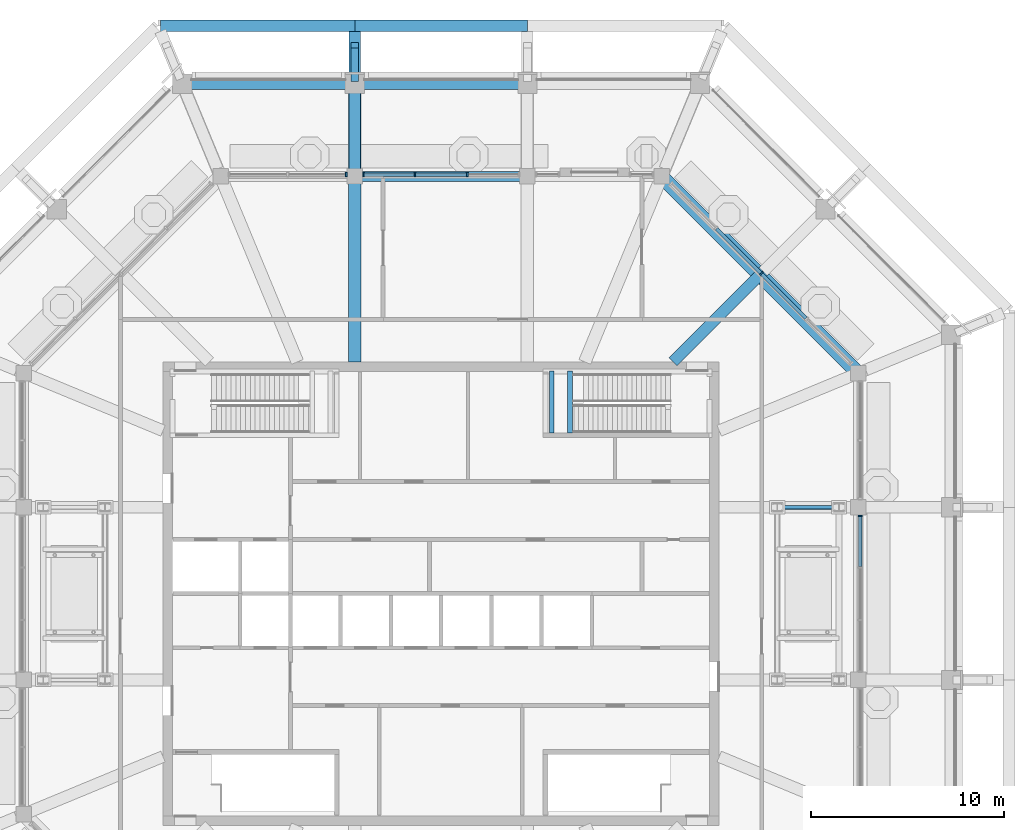
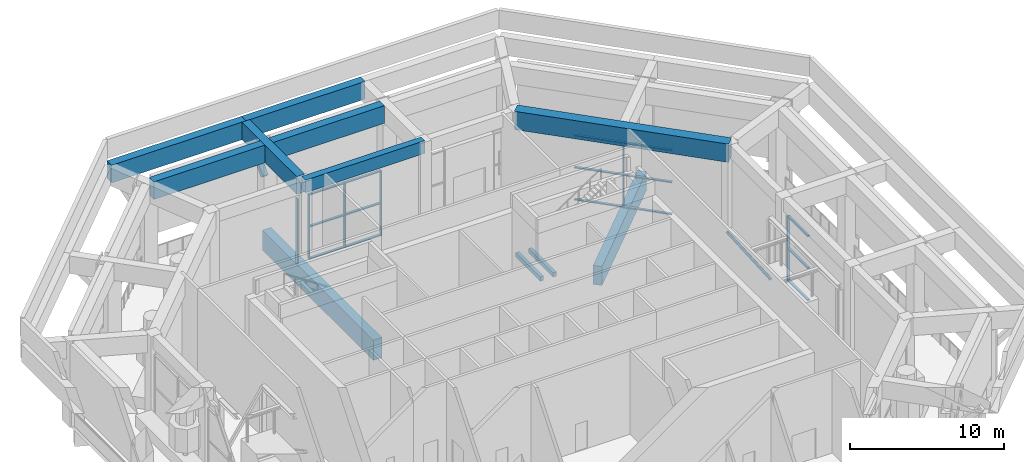
# One storey, part 10 of 29: 23 members, 11 beams, 4 elements without a shape of their own.
"""IFC4 building model written with IfcOpenShell, lengths in metres."""

from ifc_helpers import new_model, si_unit, direction, frame, origin, origin_2d, place, context, subcontext, project, spatial, rectangle, hollow_rectangle, extrude, material, material_profile, profile_set, type_object, element, aggregate, save


model = new_model("IFC4")

# Units and contexts
model_context = context("Model", 3, precision=1e-05, world=origin(), true_north=direction((0.0, 1.0)))
body_context = subcontext(model_context, "Body", "Model", "MODEL_VIEW")
ifc_project = project(units=[si_unit("LENGTHUNIT", "METRE"), si_unit("AREAUNIT", "SQUARE_METRE"), si_unit("VOLUMEUNIT", "CUBIC_METRE"), si_unit("PLANEANGLEUNIT", "RADIAN"), si_unit("MASSUNIT", "GRAM", prefix="KILO")], contexts=[model_context])

# Site, building, storey
site_placement = place(None, origin())
site = spatial("IfcSite", under=ifc_project, at=site_placement, CompositionType="ELEMENT")
building_placement = place(site_placement, origin())
building = spatial("IfcBuilding", under=site, at=building_placement, Name="Msitu Wima Residences", CompositionType="ELEMENT")
storey_placement = place(building_placement, frame((0.0, 0.0, 320.10009765625)))
storey = spatial("IfcBuildingStorey", under=building, at=storey_placement, Name="L74", CompositionType="ELEMENT", Elevation=320.10009765625)

# Beam
ifc_material_1 = material(Name="Concrete C60/75", Category="concrete")
ifc_material_profile_1 = material_profile(ifc_material_1, rectangle(XDim=0.60009765625, YDim=1.39990234375, at=origin_2d()), Name="RC 600x1400")
ifc_profile_set_1 = profile_set([ifc_material_profile_1], Name="Concrete C60/75")
beam_type_1 = type_object("IfcBeamType", Name="Canopy cantilever beam CT600x1400", PredefinedType="BEAM", material=ifc_profile_set_1)
beam_1_placement = place(storey_placement, frame((-4.46875, 21.988037109375, 5.89990234375), z_axis=(0.0, 1.0, 0.0), x_axis=(-1.0, 0.0, 0.0)))
element("IfcBeam", 1, at=beam_1_placement, inside=storey, type_object=beam_type_1, Name="Canopy cantilever beam C-N2", PredefinedType="BEAM", context=body_context, shape_type="SweptSolid", body=[
    extrude(rectangle(XDim=0.60009765625, YDim=1.39990234375, at=origin_2d()), origin(), (0.0, 0.0, 1.0), 7.1240234375),
])

# Member
ifc_material_profile_2 = material_profile(ifc_material_1, rectangle(XDim=0.39990234375, YDim=0.39990234375, at=origin_2d()), Name="RC 400x400")
ifc_profile_set_2 = profile_set([ifc_material_profile_2], Name="Concrete C60/75")
member_type_1 = type_object("IfcMemberType", Name="Canopy knee strut KS400", PredefinedType="STRUT", material=ifc_profile_set_2)
member_1_placement = place(storey_placement, frame((-4.46875, 26.64990234375, 3.699951171875), z_axis=(0.0, 0.707106781187, 0.707106781187), x_axis=(-1.0, 0.0, 0.0)))
element("IfcMember", 2, at=member_1_placement, inside=storey, type_object=member_type_1, Name="Canopy knee strut C-N2", PredefinedType="STRUT", context=body_context, shape_type="SweptSolid", body=[
    extrude(rectangle(XDim=0.39990234375, YDim=0.39990234375, at=origin_2d()), origin(), (0.0, 0.0, 1.0), 2.474853515625),
])

# Beams
ifc_material_profile_3 = material_profile(ifc_material_1, rectangle(XDim=0.5, YDim=1.0, at=origin_2d()), Name="RC 500x1000")
ifc_profile_set_3 = profile_set([ifc_material_profile_3], Name="Concrete C60/75")
beam_type_2 = type_object("IfcBeamType", Name="Chamber ring beam CB500x1000", PredefinedType="BEAM", material=ifc_profile_set_3)
beam_2_placement = place(storey_placement, frame((4.46875, 21.60009765625, 6.099853515625), z_axis=(-1.0, 0.0, 0.0), x_axis=(0.0, -1.0, 0.0)))
element("IfcBeam", 3, at=beam_2_placement, inside=storey, type_object=beam_type_2, Name="Chamber ring beam CH5", PredefinedType="BEAM", context=body_context, shape_type="SweptSolid", body=[
    extrude(rectangle(XDim=0.5, YDim=1.0, at=origin_2d()), origin(), (0.0, 0.0, 1.0), 8.9375),
])
ifc_material_profile_4 = material_profile(ifc_material_1, rectangle(XDim=0.75, YDim=1.449951171875, at=origin_2d()), Name="RC 750x1450")
ifc_profile_set_4 = profile_set([ifc_material_profile_4], Name="Concrete C60/75")
beam_type_3 = type_object("IfcBeamType", Name="Chamber ring beam CB750x1450", PredefinedType="BEAM", material=ifc_profile_set_4)
beam_3_placement = place(storey_placement, frame((21.60009765625, 11.417724609375, 5.875), z_axis=(-0.707106781187, 0.707106781187, 0.0), x_axis=(-0.707106781187, -0.707106781187, 0.0)))
element("IfcBeam", 4, at=beam_3_placement, inside=storey, type_object=beam_type_3, Name="Chamber ring beam CH3", PredefinedType="BEAM", context=body_context, shape_type="SweptSolid", body=[
    extrude(rectangle(XDim=0.75, YDim=1.449951171875, at=origin_2d()), origin(), (0.0, 0.0, 1.0), 14.400146484375),
])

# Member
ifc_material_2 = material(Name="Steel S355", Category="steel")
ifc_material_profile_5 = material_profile(ifc_material_2, hollow_rectangle(XDim=0.199951171875, YDim=0.199951171875, WallThickness=0.012451171875, InnerFilletRadius=0.012451171875, OuterFilletRadius=0.02490234375, at=origin_2d()), Name="SHS 200x200x12.5")
ifc_profile_set_5 = profile_set([ifc_material_profile_5], Name="Steel S355")
member_type_2 = type_object("IfcMemberType", Name="Damper frame SHS 200x200x12.5", PredefinedType="BRACE", material=ifc_profile_set_5)
member_2_placement = place(storey_placement, frame((20.60009765625, 4.46875, 0.2548828125), z_axis=(-0.555130142442, 0.0, 0.831763503018), x_axis=(0.0, -1.0, 0.0)))
element("IfcMember", 5, at=member_2_placement, inside=storey, type_object=member_type_2, Name="Damper frame brace E3", PredefinedType="BRACE", context=body_context, shape_type="SweptSolid", body=[
    extrude(hollow_rectangle(XDim=0.199951171875, YDim=0.199951171875, WallThickness=0.012451171875, InnerFilletRadius=0.012451171875, OuterFilletRadius=0.02490234375, at=origin_2d()), origin(), (0.0, 0.0, 1.0), 5.7646484375),
])

# Beams
ifc_material_profile_6 = material_profile(ifc_material_1, rectangle(XDim=0.60009765625, YDim=1.5, at=origin_2d()), Name="RC 600x1500")
ifc_profile_set_6 = profile_set([ifc_material_profile_6], Name="Concrete C60/75")
beam_type_4 = type_object("IfcBeamType", Name="Deck girder DG600x1500", PredefinedType="BEAM", material=ifc_profile_set_6)
beam_4_placement = place(storey_placement, frame((19.90283203125, 19.90283203125, -1.050048828125), z_axis=(-0.707106781187, -0.707106781187, 0.0), x_axis=(0.707106781187, -0.707106781187, 0.0)))
element("IfcBeam", 6, at=beam_4_placement, inside=storey, type_object=beam_type_4, Name="Deck girder C-NE1", PredefinedType="BEAM", context=body_context, shape_type="SweptSolid", body=[
    extrude(rectangle(XDim=0.60009765625, YDim=1.5, at=origin_2d()), origin(), (0.0, 0.0, 1.0), 11.17626953125),
])
ifc_material_profile_7 = material_profile(ifc_material_1, rectangle(XDim=0.64990234375, YDim=1.60009765625, at=origin_2d()), Name="RC 650x1600")
ifc_profile_set_7 = profile_set([ifc_material_profile_7], Name="Concrete C60/75")
beam_type_5 = type_object("IfcBeamType", Name="Deck girder DG650x1600", PredefinedType="BEAM", material=ifc_profile_set_7)
beam_5_placement = place(storey_placement, frame((-4.46875, 26.39990234375, -1.10009765625), z_axis=(0.0, -1.0, 0.0), x_axis=(1.0, 0.0, 0.0)))
element("IfcBeam", 7, at=beam_5_placement, inside=storey, type_object=beam_type_5, Name="Deck girder C-N2", PredefinedType="BEAM", context=body_context, shape_type="SweptSolid", body=[
    extrude(rectangle(XDim=0.64990234375, YDim=1.60009765625, at=origin_2d()), origin(), (0.0, 0.0, 1.0), 14.39990234375),
])
ifc_material_profile_8 = material_profile(ifc_material_1, rectangle(XDim=0.60009765625, YDim=1.39990234375, at=origin_2d()), Name="RC 600x1400")
ifc_profile_set_8 = profile_set([ifc_material_profile_8], Name="Concrete C60/75")
beam_type_6 = type_object("IfcBeamType", Name="Fascia beam FB600x1400", PredefinedType="BEAM", material=ifc_profile_set_8)
beam_6_placement = place(storey_placement, frame((4.1806640625, 26.39990234375, 5.89990234375), z_axis=(-1.0, 0.0, 0.0), x_axis=(0.0, -1.0, 0.0)))
element("IfcBeam", 8, at=beam_6_placement, inside=storey, type_object=beam_type_6, Name="Canopy fascia beam C-N1", PredefinedType="BEAM", context=body_context, shape_type="SweptSolid", body=[
    extrude(rectangle(XDim=0.60009765625, YDim=1.39990234375, at=origin_2d()), origin(), (0.0, 0.0, 1.0), 8.361328125),
])
beam_7_placement = place(storey_placement, frame((-4.756591796875, 26.39990234375, 5.89990234375), z_axis=(-1.0, 0.0, 0.0), x_axis=(0.0, -1.0, 0.0)))
element("IfcBeam", 9, at=beam_7_placement, inside=storey, type_object=beam_type_6, Name="Canopy fascia beam C-N2", PredefinedType="BEAM", context=body_context, shape_type="SweptSolid", body=[
    extrude(rectangle(XDim=0.60009765625, YDim=1.39990234375, at=origin_2d()), origin(), (0.0, 0.0, 1.0), 8.336669921875),
])
beam_8_placement = place(storey_placement, frame((4.46875, 29.39990234375, 5.89990234375), z_axis=(-1.0, 0.0, 0.0), x_axis=(0.0, -1.0, 0.0)))
element("IfcBeam", 10, at=beam_8_placement, inside=storey, type_object=beam_type_6, Name="Canopy edge fascia beam C-N1", PredefinedType="BEAM", context=body_context, shape_type="SweptSolid", body=[
    extrude(rectangle(XDim=0.60009765625, YDim=1.39990234375, at=origin_2d()), origin(), (0.0, 0.0, 1.0), 8.9375),
])
beam_9_placement = place(storey_placement, frame((-4.46875, 29.39990234375, 5.89990234375), z_axis=(-1.0, 0.0, 0.0), x_axis=(0.0, -1.0, 0.0)))
element("IfcBeam", 11, at=beam_9_placement, inside=storey, type_object=beam_type_6, Name="Canopy edge fascia beam C-N2", PredefinedType="BEAM", context=body_context, shape_type="SweptSolid", body=[
    extrude(rectangle(XDim=0.60009765625, YDim=1.39990234375, at=origin_2d()), origin(), (0.0, 0.0, 1.0), 10.055419921875),
])
ifc_material_3 = material(Name="Concrete C40/50", Category="concrete")
ifc_material_profile_9 = material_profile(ifc_material_3, rectangle(XDim=0.25, YDim=0.35009765625, at=origin_2d()), Name="RC 250x350")
ifc_profile_set_9 = profile_set([ifc_material_profile_9], Name="Concrete C40/50")
beam_type_7 = type_object("IfcBeamType", Name="Landing beam RC 250x350", PredefinedType="BEAM", material=ifc_profile_set_9)
for number, where, z_axis, x_axis, name in (
    (12, (6.675048828125, 8.324951171875, 3.125), (0.0, 1.0, 0.0), (-1.0, 0.0, 0.0), "Stair 3 landing beam"),
    (13, (5.72509765625, 8.324951171875, 3.125), (0.0, 1.0, 0.0), (-1.0, 0.0, 0.0), "Stair 3 landing beam"),
):
    element("IfcBeam", number, at=place(storey_placement, frame(where, z_axis=z_axis, x_axis=x_axis)), inside=storey, type_object=beam_type_7, Name=name, PredefinedType="BEAM", context=body_context, shape_type="SweptSolid", body=[
        extrude(rectangle(XDim=0.25, YDim=0.35009765625, at=origin_2d()), origin(), (0.0, 0.0, 1.0), 3.199951171875),
    ])

# Curtain wall, member
ifc_material_4 = material(Name="Anodised aluminium, bronze finish, clear laminated double glazing", Category="aluminium")
curtain_wall_type = type_object("IfcCurtainWallType", Name="Curtain wall CW4 damper chamber wall", PredefinedType="NOTDEFINED", material=ifc_material_4)
curtain_wall_1_placement = place(storey_placement, origin())
curtain_wall_1 = element("IfcCurtainWall", 14, at=curtain_wall_1_placement, inside=storey, type_object=curtain_wall_type, Name="Curtain wall CW4 L74 CH-0b0", PredefinedType="NOTDEFINED")
ifc_material_5 = material(Name="Anodised aluminium, bronze finish", Category="aluminium")
ifc_material_profile_10 = material_profile(ifc_material_5, rectangle(XDim=0.219970703125, YDim=0.0849609375, at=origin_2d()), Name="Mullion 85x220")
ifc_profile_set_10 = profile_set([ifc_material_profile_10], Name="Anodised aluminium, bronze finish")
member_type_3 = type_object("IfcMemberType", Name="Mullion CW4 85x220", PredefinedType="MULLION", material=ifc_profile_set_10)
member_3_placement = place(storey_placement, frame((21.699951171875, 4.026123046875, 0.0), z_axis=(0.0, 0.0, 1.0), x_axis=(-1.0, 0.0, 0.0)))
member_3 = element("IfcMember", 15, at=member_3_placement, type_object=member_type_3, Name="CW4 mullion 4", PredefinedType="MULLION", context=body_context, shape_type="SweptSolid", body=[
    extrude(rectangle(XDim=0.219970703125, YDim=0.0849609375, at=origin_2d()), origin(), (0.0, 0.0, 1.0), 5.14990234375),
])

curtain_wall_2_placement = place(storey_placement, origin())
curtain_wall_2 = element("IfcCurtainWall", 16, at=curtain_wall_2_placement, inside=storey, type_object=curtain_wall_type, Name="Curtain wall CW4 L74 CH-1a0", PredefinedType="NOTDEFINED")
member_4_placement = place(storey_placement, frame((16.57958984375, 16.57958984375, 0.0), z_axis=(0.0, 0.0, 1.0), x_axis=(-0.707106781187, -0.707106781187, 0.0)))
member_4 = element("IfcMember", 17, at=member_4_placement, type_object=member_type_3, Name="CW4 mullion 3", PredefinedType="MULLION", context=body_context, shape_type="SweptSolid", body=[
    extrude(rectangle(XDim=0.219970703125, YDim=0.0849609375, at=origin_2d()), origin(), (0.0, 0.0, 1.0), 5.14990234375),
])

# Curtain wall, members
curtain_wall_3_placement = place(storey_placement, origin())
curtain_wall_3 = element("IfcCurtainWall", 18, at=curtain_wall_3_placement, inside=storey, type_object=curtain_wall_type, Name="Curtain wall CW4 L74 CH-2b0", PredefinedType="NOTDEFINED")
member_5_placement = place(storey_placement, frame((1.356201171875, 21.699951171875, 0.0), z_axis=(0.0, 0.0, 1.0), x_axis=(0.0, -1.0, 0.0)))
member_5 = element("IfcMember", 19, at=member_5_placement, type_object=member_type_3, Name="CW4 mullion 2", PredefinedType="MULLION", context=body_context, shape_type="SweptSolid", body=[
    extrude(rectangle(XDim=0.219970703125, YDim=0.0849609375, at=origin_2d()), origin(), (0.0, 0.0, 1.0), 5.14990234375),
])
member_6_placement = place(storey_placement, frame((-1.356201171875, 21.699951171875, 0.0), z_axis=(0.0, 0.0, 1.0), x_axis=(0.0, -1.0, 0.0)))
member_6 = element("IfcMember", 20, at=member_6_placement, type_object=member_type_3, Name="CW4 mullion 3", PredefinedType="MULLION", context=body_context, shape_type="SweptSolid", body=[
    extrude(rectangle(XDim=0.219970703125, YDim=0.0849609375, at=origin_2d()), origin(), (0.0, 0.0, 1.0), 5.14990234375),
])
member_7_placement = place(storey_placement, frame((-4.026123046875, 21.699951171875, 0.0), z_axis=(0.0, 0.0, 1.0), x_axis=(0.0, -1.0, 0.0)))
member_7 = element("IfcMember", 21, at=member_7_placement, type_object=member_type_3, Name="CW4 mullion 4", PredefinedType="MULLION", context=body_context, shape_type="SweptSolid", body=[
    extrude(rectangle(XDim=0.219970703125, YDim=0.0849609375, at=origin_2d()), origin(), (0.0, 0.0, 1.0), 5.14990234375),
])

# Curtain wall, member
curtain_wall_4_placement = place(storey_placement, origin())
curtain_wall_4 = element("IfcCurtainWall", 22, at=curtain_wall_4_placement, inside=storey, type_object=curtain_wall_type, Name="Curtain wall CW4 L74 CH-2c0", PredefinedType="NOTDEFINED")
member_8_placement = place(storey_placement, frame((-4.9111328125, 21.699951171875, 0.0), z_axis=(0.0, 0.0, 1.0), x_axis=(0.0, -1.0, 0.0)))
member_8 = element("IfcMember", 23, at=member_8_placement, type_object=member_type_3, Name="CW4 mullion 1", PredefinedType="MULLION", context=body_context, shape_type="SweptSolid", body=[
    extrude(rectangle(XDim=0.219970703125, YDim=0.0849609375, at=origin_2d()), origin(), (0.0, 0.0, 1.0), 5.14990234375),
])
aggregate(curtain_wall_4, [member_8])

# Member
ifc_material_profile_11 = material_profile(ifc_material_5, rectangle(XDim=0.179931640625, YDim=0.0849609375, at=origin_2d()), Name="Transom 85x180")
ifc_profile_set_11 = profile_set([ifc_material_profile_11], Name="Anodised aluminium, bronze finish")
member_type_4 = type_object("IfcMemberType", Name="Transom CW4 85x180", PredefinedType="USERDEFINED", material=ifc_profile_set_11)
member_9_placement = place(storey_placement, frame((21.699951171875, 1.398681640625, 0.04248046875), z_axis=(0.0, 1.0, 0.0), x_axis=(-1.0, 0.0, 0.0)))
member_9 = element("IfcMember", 24, at=member_9_placement, type_object=member_type_4, Name="CW4 transom 3.1", ObjectType="TRANSOM", PredefinedType="USERDEFINED", context=body_context, shape_type="SweptSolid", body=[
    extrude(rectangle(XDim=0.179931640625, YDim=0.0849609375, at=origin_2d()), origin(), (0.0, 0.0, 1.0), 2.5849609375),
])

member_10_placement = place(storey_placement, frame((21.699951171875, 1.398681640625, 2.574951171875), z_axis=(0.0, 1.0, 0.0), x_axis=(-1.0, 0.0, 0.0)))
member_10 = element("IfcMember", 25, at=member_10_placement, type_object=member_type_4, Name="CW4 transom 3.2", ObjectType="TRANSOM", PredefinedType="USERDEFINED", context=body_context, shape_type="SweptSolid", body=[
    extrude(rectangle(XDim=0.179931640625, YDim=0.0849609375, at=origin_2d()), origin(), (0.0, 0.0, 1.0), 2.5849609375),
])

member_11_placement = place(storey_placement, frame((21.699951171875, 1.398681640625, 5.107421875), z_axis=(0.0, 1.0, 0.0), x_axis=(-1.0, 0.0, 0.0)))
member_11 = element("IfcMember", 26, at=member_11_placement, type_object=member_type_4, Name="CW4 transom 3.3", ObjectType="TRANSOM", PredefinedType="USERDEFINED", context=body_context, shape_type="SweptSolid", body=[
    extrude(rectangle(XDim=0.179931640625, YDim=0.0849609375, at=origin_2d()), origin(), (0.0, 0.0, 1.0), 2.5849609375),
])

aggregate(curtain_wall_1, [member_3, member_9, member_10, member_11])

member_12_placement = place(storey_placement, frame((18.89501953125, 14.263916015625, 0.04248046875), z_axis=(-0.707069013432, 0.707144546924, 0.0), x_axis=(-0.707144546924, -0.707069013432, 0.0)))
member_12 = element("IfcMember", 27, at=member_12_placement, type_object=member_type_4, Name="CW4 transom 2.1", ObjectType="TRANSOM", PredefinedType="USERDEFINED", context=body_context, shape_type="SweptSolid", body=[
    extrude(rectangle(XDim=0.179931640625, YDim=0.0849609375, at=origin_2d()), origin(), (0.0, 0.0, 1.0), 3.232177734375),
])

member_13_placement = place(storey_placement, frame((18.89501953125, 14.263916015625, 2.574951171875), z_axis=(-0.707069013432, 0.707144546924, 0.0), x_axis=(-0.707144546924, -0.707069013432, 0.0)))
member_13 = element("IfcMember", 28, at=member_13_placement, type_object=member_type_4, Name="CW4 transom 2.2", ObjectType="TRANSOM", PredefinedType="USERDEFINED", context=body_context, shape_type="SweptSolid", body=[
    extrude(rectangle(XDim=0.179931640625, YDim=0.0849609375, at=origin_2d()), origin(), (0.0, 0.0, 1.0), 3.232177734375),
])

member_14_placement = place(storey_placement, frame((18.89501953125, 14.263916015625, 5.107421875), z_axis=(-0.707069013432, 0.707144546924, 0.0), x_axis=(-0.707144546924, -0.707069013432, 0.0)))
member_14 = element("IfcMember", 29, at=member_14_placement, type_object=member_type_4, Name="CW4 transom 2.3", ObjectType="TRANSOM", PredefinedType="USERDEFINED", context=body_context, shape_type="SweptSolid", body=[
    extrude(rectangle(XDim=0.179931640625, YDim=0.0849609375, at=origin_2d()), origin(), (0.0, 0.0, 1.0), 3.232177734375),
])

member_15_placement = place(storey_placement, frame((16.549560546875, 16.609619140625, 0.04248046875), z_axis=(-0.707144546924, 0.707069013432, 0.0), x_axis=(-0.707069013432, -0.707144546924, 0.0)))
member_15 = element("IfcMember", 30, at=member_15_placement, type_object=member_type_4, Name="CW4 transom 3.1", ObjectType="TRANSOM", PredefinedType="USERDEFINED", context=body_context, shape_type="SweptSolid", body=[
    extrude(rectangle(XDim=0.179931640625, YDim=0.0849609375, at=origin_2d()), origin(), (0.0, 0.0, 1.0), 3.232177734375),
])

member_16_placement = place(storey_placement, frame((16.549560546875, 16.609619140625, 2.574951171875), z_axis=(-0.707144546924, 0.707069013432, 0.0), x_axis=(-0.707069013432, -0.707144546924, 0.0)))
member_16 = element("IfcMember", 31, at=member_16_placement, type_object=member_type_4, Name="CW4 transom 3.2", ObjectType="TRANSOM", PredefinedType="USERDEFINED", context=body_context, shape_type="SweptSolid", body=[
    extrude(rectangle(XDim=0.179931640625, YDim=0.0849609375, at=origin_2d()), origin(), (0.0, 0.0, 1.0), 3.232177734375),
])

member_17_placement = place(storey_placement, frame((16.549560546875, 16.609619140625, 5.107421875), z_axis=(-0.707144546924, 0.707069013432, 0.0), x_axis=(-0.707069013432, -0.707144546924, 0.0)))
member_17 = element("IfcMember", 32, at=member_17_placement, type_object=member_type_4, Name="CW4 transom 3.3", ObjectType="TRANSOM", PredefinedType="USERDEFINED", context=body_context, shape_type="SweptSolid", body=[
    extrude(rectangle(XDim=0.179931640625, YDim=0.0849609375, at=origin_2d()), origin(), (0.0, 0.0, 1.0), 3.232177734375),
])

aggregate(curtain_wall_2, [member_4, member_12, member_13, member_14, member_15, member_16, member_17])

member_18_placement = place(storey_placement, frame((1.313720703125, 21.699951171875, 0.04248046875), z_axis=(-1.0, 0.0, 0.0), x_axis=(0.0, -1.0, 0.0)))
member_18 = element("IfcMember", 33, at=member_18_placement, type_object=member_type_4, Name="CW4 transom 2.1", ObjectType="TRANSOM", PredefinedType="USERDEFINED", context=body_context, shape_type="SweptSolid", body=[
    extrude(rectangle(XDim=0.179931640625, YDim=0.0849609375, at=origin_2d()), origin(), (0.0, 0.0, 1.0), 2.62744140625),
])

member_19_placement = place(storey_placement, frame((1.313720703125, 21.699951171875, 2.574951171875), z_axis=(-1.0, 0.0, 0.0), x_axis=(0.0, -1.0, 0.0)))
member_19 = element("IfcMember", 34, at=member_19_placement, type_object=member_type_4, Name="CW4 transom 2.2", ObjectType="TRANSOM", PredefinedType="USERDEFINED", context=body_context, shape_type="SweptSolid", body=[
    extrude(rectangle(XDim=0.179931640625, YDim=0.0849609375, at=origin_2d()), origin(), (0.0, 0.0, 1.0), 2.62744140625),
])

member_20_placement = place(storey_placement, frame((1.313720703125, 21.699951171875, 5.107421875), z_axis=(-1.0, 0.0, 0.0), x_axis=(0.0, -1.0, 0.0)))
member_20 = element("IfcMember", 35, at=member_20_placement, type_object=member_type_4, Name="CW4 transom 2.3", ObjectType="TRANSOM", PredefinedType="USERDEFINED", context=body_context, shape_type="SweptSolid", body=[
    extrude(rectangle(XDim=0.179931640625, YDim=0.0849609375, at=origin_2d()), origin(), (0.0, 0.0, 1.0), 2.62744140625),
])

member_21_placement = place(storey_placement, frame((-1.398681640625, 21.699951171875, 0.04248046875), z_axis=(-1.0, 0.0, 0.0), x_axis=(0.0, -1.0, 0.0)))
member_21 = element("IfcMember", 36, at=member_21_placement, type_object=member_type_4, Name="CW4 transom 3.1", ObjectType="TRANSOM", PredefinedType="USERDEFINED", context=body_context, shape_type="SweptSolid", body=[
    extrude(rectangle(XDim=0.179931640625, YDim=0.0849609375, at=origin_2d()), origin(), (0.0, 0.0, 1.0), 2.5849609375),
])

member_22_placement = place(storey_placement, frame((-1.398681640625, 21.699951171875, 2.574951171875), z_axis=(-1.0, 0.0, 0.0), x_axis=(0.0, -1.0, 0.0)))
member_22 = element("IfcMember", 37, at=member_22_placement, type_object=member_type_4, Name="CW4 transom 3.2", ObjectType="TRANSOM", PredefinedType="USERDEFINED", context=body_context, shape_type="SweptSolid", body=[
    extrude(rectangle(XDim=0.179931640625, YDim=0.0849609375, at=origin_2d()), origin(), (0.0, 0.0, 1.0), 2.5849609375),
])

member_23_placement = place(storey_placement, frame((-1.398681640625, 21.699951171875, 5.107421875), z_axis=(-1.0, 0.0, 0.0), x_axis=(0.0, -1.0, 0.0)))
member_23 = element("IfcMember", 38, at=member_23_placement, type_object=member_type_4, Name="CW4 transom 3.3", ObjectType="TRANSOM", PredefinedType="USERDEFINED", context=body_context, shape_type="SweptSolid", body=[
    extrude(rectangle(XDim=0.179931640625, YDim=0.0849609375, at=origin_2d()), origin(), (0.0, 0.0, 1.0), 2.5849609375),
])

aggregate(curtain_wall_3, [member_5, member_6, member_7, member_18, member_19, member_20, member_21, member_22, member_23])

save(model, "model.ifc")
